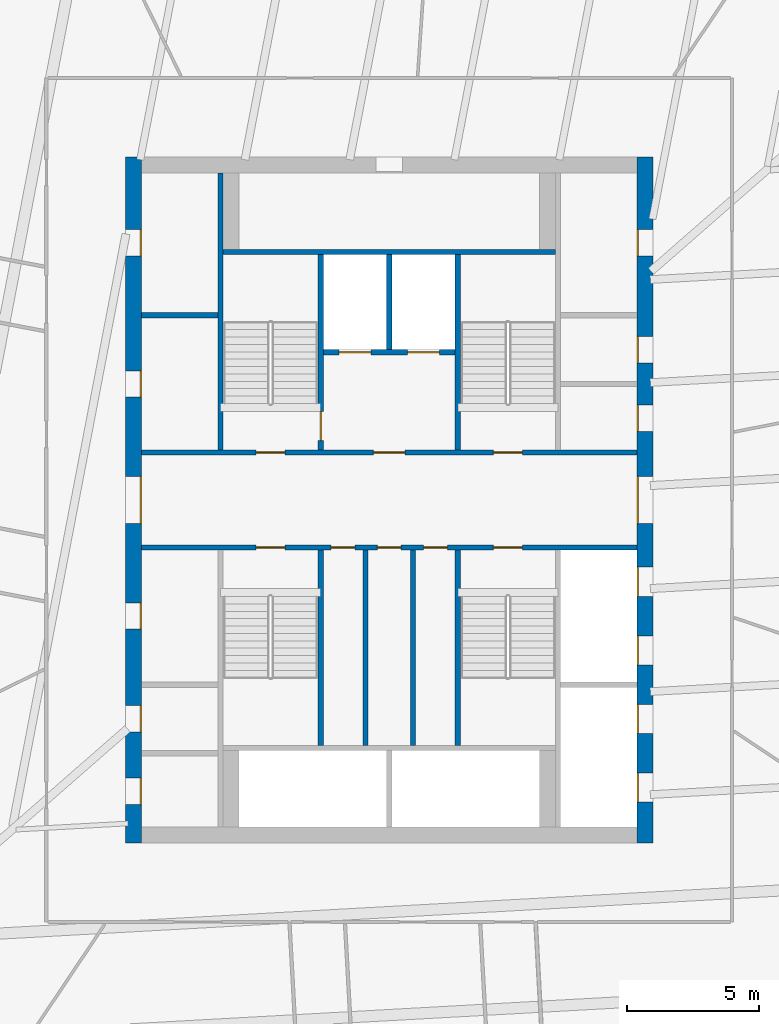
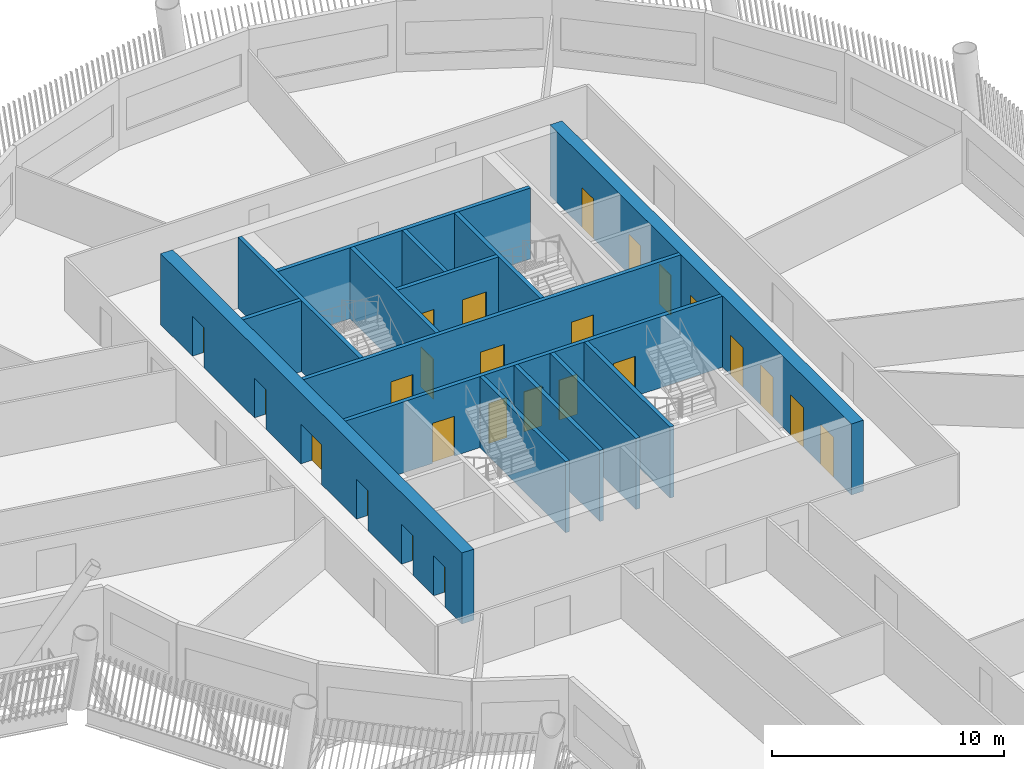
# One storey, part 5 of 23: 25 doors, 15 walls, 25 openings.
"""IFC4 building model written with IfcOpenShell, lengths in metres."""

from ifc_helpers import new_model, si_unit, direction, frame, frame_2d, origin, place, context, subcontext, project, spatial, rectangle, extrude, material, layer, layer_set, type_object, element, fill, save


model = new_model("IFC4")

# Units and contexts
model_context = context("Model", 3, precision=1e-05, world=origin(), true_north=direction((0.0, 1.0)))
body_context = subcontext(model_context, "Body", "Model", "MODEL_VIEW")
ifc_project = project(units=[si_unit("LENGTHUNIT", "METRE"), si_unit("AREAUNIT", "SQUARE_METRE"), si_unit("VOLUMEUNIT", "CUBIC_METRE"), si_unit("PLANEANGLEUNIT", "RADIAN"), si_unit("MASSUNIT", "GRAM", prefix="KILO")], contexts=[model_context])

# Site, building, storey
site_placement = place(None, origin())
site = spatial("IfcSite", under=ifc_project, at=site_placement, CompositionType="ELEMENT")
building_placement = place(site_placement, origin())
building = spatial("IfcBuilding", under=site, at=building_placement, Name="Tarsis Ring Headquarters", CompositionType="ELEMENT")
storey_placement = place(building_placement, frame((0.0, 0.0, 239.39990234375)))
storey = spatial("IfcBuildingStorey", under=building, at=storey_placement, Name="L56", CompositionType="ELEMENT", Elevation=239.39990234375)

# Walls
ifc_material_1 = material(Name="Blockwork", Category="masonry")
ifc_layer_1 = layer(ifc_material_1, 0.199951171875)
ifc_layer_set_1 = layer_set([ifc_layer_1], Name="Core blockwork wall 200")
wall_type_1 = type_object("IfcWallType", Name="Core blockwork wall 200", PredefinedType="PARTITIONING", material=ifc_layer_set_1)
wall_1_placement = place(storey_placement, frame((-9.39990234375, 7.0, 0.0), z_axis=(0.0, 0.0, 1.0), x_axis=(1.0, 0.0, 0.0)))
element("IfcWall", 1, at=wall_1_placement, inside=storey, type_object=wall_type_1, Name="Core partition WD6", PredefinedType="PARTITIONING", context=body_context, shape_type="SweptSolid", body=[
    extrude(rectangle(XDim=2.89990234375, YDim=0.199951171875, at=frame_2d((1.449951171875, 0.0))), origin(), (0.0, 0.0, 1.0), 3.739990234375),
])
for number, where, z_axis, x_axis, name in (
    (2, (-0.89990234375, -9.300048828125, 0.0), (0.0, 0.0, 1.0), (0.0, 1.0, 0.0), "Core partition SV1"),
    (3, (0.89990234375, -9.300048828125, 0.0), (0.0, 0.0, 1.0), (0.0, 1.0, 0.0), "Core partition SV2"),
):
    element("IfcWall", number, at=place(storey_placement, frame(where, z_axis=z_axis, x_axis=x_axis)), inside=storey, type_object=wall_type_1, Name=name, PredefinedType="PARTITIONING", context=body_context, shape_type="SweptSolid", body=[
        extrude(rectangle(XDim=7.400146484375, YDim=0.199951171875, at=frame_2d((3.7001953125, 0.0))), origin(), (0.0, 0.0, 1.0), 3.739990234375),
    ])

# Wall, openings, doors
ifc_material_2 = material(Name="Concrete C50/60", Category="concrete")
ifc_layer_2 = layer(ifc_material_2, 0.60009765625)
ifc_layer_set_2 = layer_set([ifc_layer_2], Name="Core wall 600 C50/60")
wall_type_2 = type_object("IfcWallType", Name="Core wall 600 C50/60", PredefinedType="SHEAR", material=ifc_layer_set_2)
wall_2_placement = place(storey_placement, frame((-9.699951171875, -13.0, 0.0), z_axis=(0.0, 0.0, 1.0), x_axis=(0.0, 1.0, 0.0)))
wall_2 = element("IfcWall", 4, at=wall_2_placement, inside=storey, type_object=wall_type_2, Name="Core wall OW", PredefinedType="SHEAR", context=body_context, shape_type="SweptSolid", body=[
    extrude(rectangle(XDim=26.0, YDim=0.60009765625, at=frame_2d((13.0, 0.0))), origin(), (0.0, 0.0, 1.0), 3.739990234375),
])
opening_1_placement = place(wall_2_placement, frame((1.449951171875, 0.0, 0.0)))
opening_1 = element("IfcOpeningElement", 5, at=opening_1_placement, cuts=wall_2, Name="Opening L56-C01", PredefinedType="OPENING", context=body_context, shape_type="SweptSolid", body=[
    extrude(rectangle(XDim=1.0, YDim=2.10009765625, at=frame_2d((0.5, 1.050048828125))), frame((0.0, 0.31005859375, 0.0), z_axis=(0.0, -1.0, 0.0), x_axis=(1.0, 0.0, 0.0)), (0.0, 0.0, 1.0), 0.6201171875),
])
opening_2_placement = place(wall_2_placement, frame((4.199951171875, 0.0, 0.0)))
opening_2 = element("IfcOpeningElement", 6, at=opening_2_placement, cuts=wall_2, Name="Opening L56-C02", PredefinedType="OPENING", context=body_context, shape_type="SweptSolid", body=[
    extrude(rectangle(XDim=1.0, YDim=2.10009765625, at=frame_2d((0.5, 1.050048828125))), frame((0.0, 0.31005859375, 0.0), z_axis=(0.0, -1.0, 0.0), x_axis=(1.0, 0.0, 0.0)), (0.0, 0.0, 1.0), 0.6201171875),
])
opening_3_placement = place(wall_2_placement, frame((8.10009765625, 0.0, 0.0)))
opening_3 = element("IfcOpeningElement", 7, at=opening_3_placement, cuts=wall_2, Name="Opening L56-C03", PredefinedType="OPENING", context=body_context, shape_type="SweptSolid", body=[
    extrude(rectangle(XDim=1.0, YDim=2.10009765625, at=frame_2d((0.5, 1.050048828125))), frame((0.0, 0.31005859375, 0.0), z_axis=(0.0, -1.0, 0.0), x_axis=(1.0, 0.0, 0.0)), (0.0, 0.0, 1.0), 0.6201171875),
])
opening_4_placement = place(wall_2_placement, frame((12.10009765625, 0.0, 0.0)))
opening_4 = element("IfcOpeningElement", 8, at=opening_4_placement, cuts=wall_2, Name="Opening L56-C04", PredefinedType="OPENING", context=body_context, shape_type="SweptSolid", body=[
    extrude(rectangle(XDim=1.800048828125, YDim=2.10009765625, at=frame_2d((0.89990234375, 1.050048828125))), frame((0.0, 0.31005859375, 0.0), z_axis=(0.0, -1.0, 0.0), x_axis=(1.0, 0.0, 0.0)), (0.0, 0.0, 1.0), 0.6201171875),
])
opening_5_placement = place(wall_2_placement, frame((16.89990234375, 0.0, 0.0)))
opening_5 = element("IfcOpeningElement", 9, at=opening_5_placement, cuts=wall_2, Name="Opening L56-C05", PredefinedType="OPENING", context=body_context, shape_type="SweptSolid", body=[
    extrude(rectangle(XDim=1.0, YDim=2.10009765625, at=frame_2d((0.5, 1.050048828125))), frame((0.0, 0.31005859375, 0.0), z_axis=(0.0, -1.0, 0.0), x_axis=(1.0, 0.0, 0.0)), (0.0, 0.0, 1.0), 0.6201171875),
])
opening_6_placement = place(wall_2_placement, frame((22.25, 0.0, 0.0)))
opening_6 = element("IfcOpeningElement", 10, at=opening_6_placement, cuts=wall_2, Name="Opening L56-C06", PredefinedType="OPENING", context=body_context, shape_type="SweptSolid", body=[
    extrude(rectangle(XDim=1.0, YDim=2.10009765625, at=frame_2d((0.5, 1.050048828125))), frame((0.0, 0.31005859375, 0.0), z_axis=(0.0, -1.0, 0.0), x_axis=(1.0, 0.0, 0.0)), (0.0, 0.0, 1.0), 0.6201171875),
])
ifc_material_3 = material(Name="Steel S355", Category="steel")
door_type_1 = type_object("IfcDoorType", Name="Core entry door 1800x2100", OperationType="DOUBLE_DOOR_SINGLE_SWING", PredefinedType="DOOR", material=ifc_material_3)
door_1_placement = place(opening_4_placement, origin())
door_1 = element("IfcDoor", 11, at=door_1_placement, inside=storey, type_object=door_type_1, Name="Core entry door L56", OperationType="DOUBLE_DOOR_SINGLE_SWING", OverallHeight=2.10009765625, OverallWidth=1.800048828125, PredefinedType="DOOR", context=body_context, shape_type="SweptSolid", body=[
    extrude(rectangle(XDim=1.800048828125, YDim=2.10009765625, at=frame_2d((0.89990234375, 1.050048828125))), frame((0.0, -0.25, 0.0), z_axis=(0.0, -1.0, 0.0), x_axis=(1.0, 0.0, 0.0)), (0.0, 0.0, 1.0), 0.050048828125),
])
fill(opening_4, door_1)
door_type_2 = type_object("IfcDoorType", Name="Core room door 1000x2100", OperationType="SINGLE_SWING_LEFT", PredefinedType="DOOR", material=ifc_material_3)
door_2_placement = place(opening_1_placement, origin())
door_2 = element("IfcDoor", 12, at=door_2_placement, inside=storey, type_object=door_type_2, Name="Core room door L56", OperationType="SINGLE_SWING_LEFT", OverallHeight=2.10009765625, OverallWidth=1.0, PredefinedType="DOOR", context=body_context, shape_type="SweptSolid", body=[
    extrude(rectangle(XDim=1.0, YDim=2.10009765625, at=frame_2d((0.5, 1.050048828125))), frame((0.0, -0.25, 0.0), z_axis=(0.0, -1.0, 0.0), x_axis=(1.0, 0.0, 0.0)), (0.0, 0.0, 1.0), 0.050048828125),
])
fill(opening_1, door_2)
door_3_placement = place(opening_2_placement, origin())
door_3 = element("IfcDoor", 13, at=door_3_placement, inside=storey, type_object=door_type_2, Name="Core room door L56", OperationType="SINGLE_SWING_LEFT", OverallHeight=2.10009765625, OverallWidth=1.0, PredefinedType="DOOR", context=body_context, shape_type="SweptSolid", body=[
    extrude(rectangle(XDim=1.0, YDim=2.10009765625, at=frame_2d((0.5, 1.050048828125))), frame((0.0, -0.25, 0.0), z_axis=(0.0, -1.0, 0.0), x_axis=(1.0, 0.0, 0.0)), (0.0, 0.0, 1.0), 0.050048828125),
])
fill(opening_2, door_3)
door_4_placement = place(opening_3_placement, origin())
door_4 = element("IfcDoor", 14, at=door_4_placement, inside=storey, type_object=door_type_2, Name="Core room door L56", OperationType="SINGLE_SWING_LEFT", OverallHeight=2.10009765625, OverallWidth=1.0, PredefinedType="DOOR", context=body_context, shape_type="SweptSolid", body=[
    extrude(rectangle(XDim=1.0, YDim=2.10009765625, at=frame_2d((0.5, 1.050048828125))), frame((0.0, -0.25, 0.0), z_axis=(0.0, -1.0, 0.0), x_axis=(1.0, 0.0, 0.0)), (0.0, 0.0, 1.0), 0.050048828125),
])
fill(opening_3, door_4)
door_5_placement = place(opening_5_placement, origin())
door_5 = element("IfcDoor", 15, at=door_5_placement, inside=storey, type_object=door_type_2, Name="Core room door L56", OperationType="SINGLE_SWING_LEFT", OverallHeight=2.10009765625, OverallWidth=1.0, PredefinedType="DOOR", context=body_context, shape_type="SweptSolid", body=[
    extrude(rectangle(XDim=1.0, YDim=2.10009765625, at=frame_2d((0.5, 1.050048828125))), frame((0.0, -0.25, 0.0), z_axis=(0.0, -1.0, 0.0), x_axis=(1.0, 0.0, 0.0)), (0.0, 0.0, 1.0), 0.050048828125),
])
fill(opening_5, door_5)
door_6_placement = place(opening_6_placement, origin())
door_6 = element("IfcDoor", 16, at=door_6_placement, inside=storey, type_object=door_type_2, Name="Core room door L56", OperationType="SINGLE_SWING_LEFT", OverallHeight=2.10009765625, OverallWidth=1.0, PredefinedType="DOOR", context=body_context, shape_type="SweptSolid", body=[
    extrude(rectangle(XDim=1.0, YDim=2.10009765625, at=frame_2d((0.5, 1.050048828125))), frame((0.0, -0.25, 0.0), z_axis=(0.0, -1.0, 0.0), x_axis=(1.0, 0.0, 0.0)), (0.0, 0.0, 1.0), 0.050048828125),
])
fill(opening_6, door_6)

wall_3_placement = place(storey_placement, frame((9.699951171875, -13.0, 0.0), z_axis=(0.0, 0.0, 1.0), x_axis=(0.0, 1.0, 0.0)))
wall_3 = element("IfcWall", 17, at=wall_3_placement, inside=storey, type_object=wall_type_2, Name="Core wall OE", PredefinedType="SHEAR", context=body_context, shape_type="SweptSolid", body=[
    extrude(rectangle(XDim=26.0, YDim=0.60009765625, at=frame_2d((13.0, 0.0))), origin(), (0.0, 0.0, 1.0), 3.739990234375),
])
opening_7_placement = place(wall_3_placement, frame((1.550048828125, 0.0, 0.0)))
opening_7 = element("IfcOpeningElement", 18, at=opening_7_placement, cuts=wall_3, Name="Opening LD-MR1", PredefinedType="OPENING", context=body_context, shape_type="SweptSolid", body=[
    extrude(rectangle(XDim=1.10009765625, YDim=2.10009765625, at=frame_2d((0.550048828125, 1.050048828125))), frame((0.0, 0.31005859375, 0.0), z_axis=(0.0, -1.0, 0.0), x_axis=(1.0, 0.0, 0.0)), (0.0, 0.0, 1.0), 0.6201171875),
])
opening_8_placement = place(wall_3_placement, frame((4.14990234375, 0.0, 0.0)))
opening_8 = element("IfcOpeningElement", 19, at=opening_8_placement, cuts=wall_3, Name="Opening LD-MR2", PredefinedType="OPENING", context=body_context, shape_type="SweptSolid", body=[
    extrude(rectangle(XDim=1.10009765625, YDim=2.10009765625, at=frame_2d((0.550048828125, 1.050048828125))), frame((0.0, 0.31005859375, 0.0), z_axis=(0.0, -1.0, 0.0), x_axis=(1.0, 0.0, 0.0)), (0.0, 0.0, 1.0), 0.6201171875),
])
opening_9_placement = place(wall_3_placement, frame((6.75, 0.0, 0.0)))
opening_9 = element("IfcOpeningElement", 20, at=opening_9_placement, cuts=wall_3, Name="Opening LD-MR3", PredefinedType="OPENING", context=body_context, shape_type="SweptSolid", body=[
    extrude(rectangle(XDim=1.10009765625, YDim=2.10009765625, at=frame_2d((0.550048828125, 1.050048828125))), frame((0.0, 0.31005859375, 0.0), z_axis=(0.0, -1.0, 0.0), x_axis=(1.0, 0.0, 0.0)), (0.0, 0.0, 1.0), 0.6201171875),
])
opening_10_placement = place(wall_3_placement, frame((9.35009765625, 0.0, 0.0)))
opening_10 = element("IfcOpeningElement", 21, at=opening_10_placement, cuts=wall_3, Name="Opening LD-MR4", PredefinedType="OPENING", context=body_context, shape_type="SweptSolid", body=[
    extrude(rectangle(XDim=1.10009765625, YDim=2.10009765625, at=frame_2d((0.550048828125, 1.050048828125))), frame((0.0, 0.31005859375, 0.0), z_axis=(0.0, -1.0, 0.0), x_axis=(1.0, 0.0, 0.0)), (0.0, 0.0, 1.0), 0.6201171875),
])
opening_11_placement = place(wall_3_placement, frame((12.10009765625, 0.0, 0.0)))
opening_11 = element("IfcOpeningElement", 22, at=opening_11_placement, cuts=wall_3, Name="Opening L56-C11", PredefinedType="OPENING", context=body_context, shape_type="SweptSolid", body=[
    extrude(rectangle(XDim=1.800048828125, YDim=2.10009765625, at=frame_2d((0.89990234375, 1.050048828125))), frame((0.0, 0.31005859375, 0.0), z_axis=(0.0, -1.0, 0.0), x_axis=(1.0, 0.0, 0.0)), (0.0, 0.0, 1.0), 0.6201171875),
])
opening_12_placement = place(wall_3_placement, frame((15.60009765625, 0.0, 0.0)))
opening_12 = element("IfcOpeningElement", 23, at=opening_12_placement, cuts=wall_3, Name="Opening L56-C12", PredefinedType="OPENING", context=body_context, shape_type="SweptSolid", body=[
    extrude(rectangle(XDim=1.0, YDim=2.10009765625, at=frame_2d((0.5, 1.050048828125))), frame((0.0, 0.31005859375, 0.0), z_axis=(0.0, -1.0, 0.0), x_axis=(1.0, 0.0, 0.0)), (0.0, 0.0, 1.0), 0.6201171875),
])
opening_13_placement = place(wall_3_placement, frame((18.199951171875, 0.0, 0.0)))
opening_13 = element("IfcOpeningElement", 24, at=opening_13_placement, cuts=wall_3, Name="Opening L56-C13", PredefinedType="OPENING", context=body_context, shape_type="SweptSolid", body=[
    extrude(rectangle(XDim=1.0, YDim=2.10009765625, at=frame_2d((0.5, 1.050048828125))), frame((0.0, 0.31005859375, 0.0), z_axis=(0.0, -1.0, 0.0), x_axis=(1.0, 0.0, 0.0)), (0.0, 0.0, 1.0), 0.6201171875),
])
opening_14_placement = place(wall_3_placement, frame((22.25, 0.0, 0.0)))
opening_14 = element("IfcOpeningElement", 25, at=opening_14_placement, cuts=wall_3, Name="Opening L56-C14", PredefinedType="OPENING", context=body_context, shape_type="SweptSolid", body=[
    extrude(rectangle(XDim=1.0, YDim=2.10009765625, at=frame_2d((0.5, 1.050048828125))), frame((0.0, 0.31005859375, 0.0), z_axis=(0.0, -1.0, 0.0), x_axis=(1.0, 0.0, 0.0)), (0.0, 0.0, 1.0), 0.6201171875),
])
door_7_placement = place(opening_11_placement, origin())
door_7 = element("IfcDoor", 26, at=door_7_placement, inside=storey, type_object=door_type_1, Name="Core entry door L56", OperationType="DOUBLE_DOOR_SINGLE_SWING", OverallHeight=2.10009765625, OverallWidth=1.800048828125, PredefinedType="DOOR", context=body_context, shape_type="SweptSolid", body=[
    extrude(rectangle(XDim=1.800048828125, YDim=2.10009765625, at=frame_2d((0.89990234375, 1.050048828125))), frame((0.0, 0.2998046875, 0.0), z_axis=(0.0, -1.0, 0.0), x_axis=(1.0, 0.0, 0.0)), (0.0, 0.0, 1.0), 0.050048828125),
])
fill(opening_11, door_7)
door_8_placement = place(opening_12_placement, origin())
door_8 = element("IfcDoor", 27, at=door_8_placement, inside=storey, type_object=door_type_2, Name="Core room door L56", OperationType="SINGLE_SWING_LEFT", OverallHeight=2.10009765625, OverallWidth=1.0, PredefinedType="DOOR", context=body_context, shape_type="SweptSolid", body=[
    extrude(rectangle(XDim=1.0, YDim=2.10009765625, at=frame_2d((0.5, 1.050048828125))), frame((0.0, 0.2998046875, 0.0), z_axis=(0.0, -1.0, 0.0), x_axis=(1.0, 0.0, 0.0)), (0.0, 0.0, 1.0), 0.050048828125),
])
fill(opening_12, door_8)
door_9_placement = place(opening_13_placement, origin())
door_9 = element("IfcDoor", 28, at=door_9_placement, inside=storey, type_object=door_type_2, Name="Core room door L56", OperationType="SINGLE_SWING_LEFT", OverallHeight=2.10009765625, OverallWidth=1.0, PredefinedType="DOOR", context=body_context, shape_type="SweptSolid", body=[
    extrude(rectangle(XDim=1.0, YDim=2.10009765625, at=frame_2d((0.5, 1.050048828125))), frame((0.0, 0.2998046875, 0.0), z_axis=(0.0, -1.0, 0.0), x_axis=(1.0, 0.0, 0.0)), (0.0, 0.0, 1.0), 0.050048828125),
])
fill(opening_13, door_9)
door_10_placement = place(opening_14_placement, origin())
door_10 = element("IfcDoor", 29, at=door_10_placement, inside=storey, type_object=door_type_2, Name="Core room door L56", OperationType="SINGLE_SWING_LEFT", OverallHeight=2.10009765625, OverallWidth=1.0, PredefinedType="DOOR", context=body_context, shape_type="SweptSolid", body=[
    extrude(rectangle(XDim=1.0, YDim=2.10009765625, at=frame_2d((0.5, 1.050048828125))), frame((0.0, 0.2998046875, 0.0), z_axis=(0.0, -1.0, 0.0), x_axis=(1.0, 0.0, 0.0)), (0.0, 0.0, 1.0), 0.050048828125),
])
fill(opening_14, door_10)
door_type_3 = type_object("IfcDoorType", Name="Landing door 1100x2100", OperationType="SLIDING_TO_LEFT", PredefinedType="DOOR", material=ifc_material_3)
door_11_placement = place(opening_7_placement, origin())
door_11 = element("IfcDoor", 30, at=door_11_placement, inside=storey, type_object=door_type_3, Name="Landing door MR1 L56", OperationType="SLIDING_TO_LEFT", OverallHeight=2.10009765625, OverallWidth=1.10009765625, PredefinedType="DOOR", context=body_context, shape_type="SweptSolid", body=[
    extrude(rectangle(XDim=1.10009765625, YDim=2.10009765625, at=frame_2d((0.550048828125, 1.050048828125))), frame((0.0, 0.2998046875, 0.0), z_axis=(0.0, -1.0, 0.0), x_axis=(1.0, 0.0, 0.0)), (0.0, 0.0, 1.0), 0.050048828125),
])
fill(opening_7, door_11)
door_12_placement = place(opening_8_placement, origin())
door_12 = element("IfcDoor", 31, at=door_12_placement, inside=storey, type_object=door_type_3, Name="Landing door MR2 L56", OperationType="SLIDING_TO_LEFT", OverallHeight=2.10009765625, OverallWidth=1.10009765625, PredefinedType="DOOR", context=body_context, shape_type="SweptSolid", body=[
    extrude(rectangle(XDim=1.10009765625, YDim=2.10009765625, at=frame_2d((0.550048828125, 1.050048828125))), frame((0.0, 0.2998046875, 0.0), z_axis=(0.0, -1.0, 0.0), x_axis=(1.0, 0.0, 0.0)), (0.0, 0.0, 1.0), 0.050048828125),
])
fill(opening_8, door_12)
door_13_placement = place(opening_9_placement, origin())
door_13 = element("IfcDoor", 32, at=door_13_placement, inside=storey, type_object=door_type_3, Name="Landing door MR3 L56", OperationType="SLIDING_TO_LEFT", OverallHeight=2.10009765625, OverallWidth=1.10009765625, PredefinedType="DOOR", context=body_context, shape_type="SweptSolid", body=[
    extrude(rectangle(XDim=1.10009765625, YDim=2.10009765625, at=frame_2d((0.550048828125, 1.050048828125))), frame((0.0, 0.2998046875, 0.0), z_axis=(0.0, -1.0, 0.0), x_axis=(1.0, 0.0, 0.0)), (0.0, 0.0, 1.0), 0.050048828125),
])
fill(opening_9, door_13)
door_14_placement = place(opening_10_placement, origin())
door_14 = element("IfcDoor", 33, at=door_14_placement, inside=storey, type_object=door_type_3, Name="Landing door MR4 L56", OperationType="SLIDING_TO_LEFT", OverallHeight=2.10009765625, OverallWidth=1.10009765625, PredefinedType="DOOR", context=body_context, shape_type="SweptSolid", body=[
    extrude(rectangle(XDim=1.10009765625, YDim=2.10009765625, at=frame_2d((0.550048828125, 1.050048828125))), frame((0.0, 0.2998046875, 0.0), z_axis=(0.0, -1.0, 0.0), x_axis=(1.0, 0.0, 0.0)), (0.0, 0.0, 1.0), 0.050048828125),
])
fill(opening_10, door_14)

ifc_material_4 = material(Name="Concrete C32/40", Category="concrete")
ifc_layer_3 = layer(ifc_material_4, 0.199951171875)
ifc_layer_set_3 = layer_set([ifc_layer_3], Name="Shaft wall 200 C32/40")
wall_type_3 = type_object("IfcWallType", Name="Shaft wall 200 C32/40", PredefinedType="SOLIDWALL", material=ifc_layer_set_3)
wall_4_placement = place(storey_placement, frame((-9.39990234375, 1.800048828125, 0.0), z_axis=(0.0, 0.0, 1.0), x_axis=(1.0, 0.0, 0.0)))
wall_4 = element("IfcWall", 34, at=wall_4_placement, inside=storey, type_object=wall_type_3, Name="Core shaft wall CN", PredefinedType="SOLIDWALL", context=body_context, shape_type="SweptSolid", body=[
    extrude(rectangle(XDim=18.7998046875, YDim=0.199951171875, at=frame_2d((9.39990234375, 0.0))), origin(), (0.0, 0.0, 1.0), 3.739990234375),
])
opening_15_placement = place(wall_4_placement, frame((4.35009765625, 0.0, 0.0)))
opening_15 = element("IfcOpeningElement", 35, at=opening_15_placement, cuts=wall_4, Name="Opening L56-C16", PredefinedType="OPENING", context=body_context, shape_type="SweptSolid", body=[
    extrude(rectangle(XDim=1.10009765625, YDim=2.10009765625, at=frame_2d((0.550048828125, 1.050048828125))), frame((0.0, 0.10986328125, 0.0), z_axis=(0.0, -1.0, 0.0), x_axis=(1.0, 0.0, 0.0)), (0.0, 0.0, 1.0), 0.219970703125),
])
opening_16_placement = place(wall_4_placement, frame((8.800048828125, 0.0, 0.0)))
opening_16 = element("IfcOpeningElement", 36, at=opening_16_placement, cuts=wall_4, Name="Opening L56-C17", PredefinedType="OPENING", context=body_context, shape_type="SweptSolid", body=[
    extrude(rectangle(XDim=1.199951171875, YDim=2.10009765625, at=frame_2d((0.60009765625, 1.050048828125))), frame((0.0, 0.10986328125, 0.0), z_axis=(0.0, -1.0, 0.0), x_axis=(1.0, 0.0, 0.0)), (0.0, 0.0, 1.0), 0.219970703125),
])
opening_17_placement = place(wall_4_placement, frame((13.35009765625, 0.0, 0.0)))
opening_17 = element("IfcOpeningElement", 37, at=opening_17_placement, cuts=wall_4, Name="Opening L56-C18", PredefinedType="OPENING", context=body_context, shape_type="SweptSolid", body=[
    extrude(rectangle(XDim=1.10009765625, YDim=2.10009765625, at=frame_2d((0.550048828125, 1.050048828125))), frame((0.0, 0.10986328125, 0.0), z_axis=(0.0, -1.0, 0.0), x_axis=(1.0, 0.0, 0.0)), (0.0, 0.0, 1.0), 0.219970703125),
])
door_type_4 = type_object("IfcDoorType", Name="Firefighting lobby door 1200x2100", OperationType="DOUBLE_DOOR_SINGLE_SWING", PredefinedType="DOOR", material=ifc_material_3)
door_15_placement = place(opening_16_placement, origin())
door_15 = element("IfcDoor", 38, at=door_15_placement, inside=storey, type_object=door_type_4, Name="Firefighting lobby door L56", OperationType="DOUBLE_DOOR_SINGLE_SWING", OverallHeight=2.10009765625, OverallWidth=1.199951171875, PredefinedType="DOOR", context=body_context, shape_type="SweptSolid", body=[
    extrude(rectangle(XDim=1.199951171875, YDim=2.10009765625, at=frame_2d((0.60009765625, 1.050048828125))), frame((0.0, 0.02490234375, 0.0), z_axis=(0.0, -1.0, 0.0), x_axis=(1.0, 0.0, 0.0)), (0.0, 0.0, 1.0), 0.050048828125),
])
fill(opening_16, door_15)
door_type_5 = type_object("IfcDoorType", Name="Stair door 1100x2100", OperationType="SINGLE_SWING_LEFT", PredefinedType="DOOR", material=ifc_material_3)
door_16_placement = place(opening_15_placement, origin())
door_16 = element("IfcDoor", 39, at=door_16_placement, inside=storey, type_object=door_type_5, Name="Stair door L56", OperationType="SINGLE_SWING_LEFT", OverallHeight=2.10009765625, OverallWidth=1.10009765625, PredefinedType="DOOR", context=body_context, shape_type="SweptSolid", body=[
    extrude(rectangle(XDim=1.10009765625, YDim=2.10009765625, at=frame_2d((0.550048828125, 1.050048828125))), frame((0.0, 0.02490234375, 0.0), z_axis=(0.0, -1.0, 0.0), x_axis=(1.0, 0.0, 0.0)), (0.0, 0.0, 1.0), 0.050048828125),
])
fill(opening_15, door_16)
door_17_placement = place(opening_17_placement, origin())
door_17 = element("IfcDoor", 40, at=door_17_placement, inside=storey, type_object=door_type_5, Name="Stair door L56", OperationType="SINGLE_SWING_LEFT", OverallHeight=2.10009765625, OverallWidth=1.10009765625, PredefinedType="DOOR", context=body_context, shape_type="SweptSolid", body=[
    extrude(rectangle(XDim=1.10009765625, YDim=2.10009765625, at=frame_2d((0.550048828125, 1.050048828125))), frame((0.0, 0.02490234375, 0.0), z_axis=(0.0, -1.0, 0.0), x_axis=(1.0, 0.0, 0.0)), (0.0, 0.0, 1.0), 0.050048828125),
])
fill(opening_17, door_17)

wall_5_placement = place(storey_placement, frame((-9.39990234375, -1.800048828125, 0.0), z_axis=(0.0, 0.0, 1.0), x_axis=(1.0, 0.0, 0.0)))
wall_5 = element("IfcWall", 41, at=wall_5_placement, inside=storey, type_object=wall_type_3, Name="Core shaft wall CS", PredefinedType="SOLIDWALL", context=body_context, shape_type="SweptSolid", body=[
    extrude(rectangle(XDim=18.7998046875, YDim=0.199951171875, at=frame_2d((9.39990234375, 0.0))), origin(), (0.0, 0.0, 1.0), 3.739990234375),
])
opening_18_placement = place(wall_5_placement, frame((4.35009765625, 0.0, 0.0)))
opening_18 = element("IfcOpeningElement", 42, at=opening_18_placement, cuts=wall_5, Name="Opening L56-C19", PredefinedType="OPENING", context=body_context, shape_type="SweptSolid", body=[
    extrude(rectangle(XDim=1.10009765625, YDim=2.10009765625, at=frame_2d((0.550048828125, 1.050048828125))), frame((0.0, 0.10986328125, 0.0), z_axis=(0.0, -1.0, 0.0), x_axis=(1.0, 0.0, 0.0)), (0.0, 0.0, 1.0), 0.219970703125),
])
opening_19_placement = place(wall_5_placement, frame((7.199951171875, 0.0, 0.0)))
opening_19 = element("IfcOpeningElement", 43, at=opening_19_placement, cuts=wall_5, Name="Opening L56-C20", PredefinedType="OPENING", context=body_context, shape_type="SweptSolid", body=[
    extrude(rectangle(XDim=0.89990234375, YDim=2.10009765625, at=frame_2d((0.449951171875, 1.050048828125))), frame((0.0, 0.10986328125, 0.0), z_axis=(0.0, -1.0, 0.0), x_axis=(1.0, 0.0, 0.0)), (0.0, 0.0, 1.0), 0.219970703125),
])
opening_20_placement = place(wall_5_placement, frame((8.949951171875, 0.0, 0.0)))
opening_20 = element("IfcOpeningElement", 44, at=opening_20_placement, cuts=wall_5, Name="Opening L56-C21", PredefinedType="OPENING", context=body_context, shape_type="SweptSolid", body=[
    extrude(rectangle(XDim=0.89990234375, YDim=2.10009765625, at=frame_2d((0.449951171875, 1.050048828125))), frame((0.0, 0.10986328125, 0.0), z_axis=(0.0, -1.0, 0.0), x_axis=(1.0, 0.0, 0.0)), (0.0, 0.0, 1.0), 0.219970703125),
])
opening_21_placement = place(wall_5_placement, frame((10.699951171875, 0.0, 0.0)))
opening_21 = element("IfcOpeningElement", 45, at=opening_21_placement, cuts=wall_5, Name="Opening L56-C22", PredefinedType="OPENING", context=body_context, shape_type="SweptSolid", body=[
    extrude(rectangle(XDim=0.89990234375, YDim=2.10009765625, at=frame_2d((0.449951171875, 1.050048828125))), frame((0.0, 0.10986328125, 0.0), z_axis=(0.0, -1.0, 0.0), x_axis=(1.0, 0.0, 0.0)), (0.0, 0.0, 1.0), 0.219970703125),
])
opening_22_placement = place(wall_5_placement, frame((13.35009765625, 0.0, 0.0)))
opening_22 = element("IfcOpeningElement", 46, at=opening_22_placement, cuts=wall_5, Name="Opening L56-C23", PredefinedType="OPENING", context=body_context, shape_type="SweptSolid", body=[
    extrude(rectangle(XDim=1.10009765625, YDim=2.10009765625, at=frame_2d((0.550048828125, 1.050048828125))), frame((0.0, 0.10986328125, 0.0), z_axis=(0.0, -1.0, 0.0), x_axis=(1.0, 0.0, 0.0)), (0.0, 0.0, 1.0), 0.219970703125),
])
door_18_placement = place(opening_18_placement, origin())
door_18 = element("IfcDoor", 47, at=door_18_placement, inside=storey, type_object=door_type_5, Name="Stair door L56", OperationType="SINGLE_SWING_LEFT", OverallHeight=2.10009765625, OverallWidth=1.10009765625, PredefinedType="DOOR", context=body_context, shape_type="SweptSolid", body=[
    extrude(rectangle(XDim=1.10009765625, YDim=2.10009765625, at=frame_2d((0.550048828125, 1.050048828125))), frame((0.0, 0.02490234375, 0.0), z_axis=(0.0, -1.0, 0.0), x_axis=(1.0, 0.0, 0.0)), (0.0, 0.0, 1.0), 0.050048828125),
])
fill(opening_18, door_18)
door_19_placement = place(opening_22_placement, origin())
door_19 = element("IfcDoor", 48, at=door_19_placement, inside=storey, type_object=door_type_5, Name="Stair door L56", OperationType="SINGLE_SWING_LEFT", OverallHeight=2.10009765625, OverallWidth=1.10009765625, PredefinedType="DOOR", context=body_context, shape_type="SweptSolid", body=[
    extrude(rectangle(XDim=1.10009765625, YDim=2.10009765625, at=frame_2d((0.550048828125, 1.050048828125))), frame((0.0, 0.02490234375, 0.0), z_axis=(0.0, -1.0, 0.0), x_axis=(1.0, 0.0, 0.0)), (0.0, 0.0, 1.0), 0.050048828125),
])
fill(opening_22, door_19)
door_type_6 = type_object("IfcDoorType", Name="WC door 900x2100", OperationType="SINGLE_SWING_LEFT", PredefinedType="DOOR", material=ifc_material_3)
door_20_placement = place(opening_19_placement, origin())
door_20 = element("IfcDoor", 49, at=door_20_placement, inside=storey, type_object=door_type_6, Name="WC door L56", OperationType="SINGLE_SWING_LEFT", OverallHeight=2.10009765625, OverallWidth=0.89990234375, PredefinedType="DOOR", context=body_context, shape_type="SweptSolid", body=[
    extrude(rectangle(XDim=0.89990234375, YDim=2.10009765625, at=frame_2d((0.449951171875, 1.050048828125))), frame((0.0, 0.02490234375, 0.0), z_axis=(0.0, -1.0, 0.0), x_axis=(1.0, 0.0, 0.0)), (0.0, 0.0, 1.0), 0.050048828125),
])
fill(opening_19, door_20)
door_21_placement = place(opening_20_placement, origin())
door_21 = element("IfcDoor", 50, at=door_21_placement, inside=storey, type_object=door_type_6, Name="WC door L56", OperationType="SINGLE_SWING_LEFT", OverallHeight=2.10009765625, OverallWidth=0.89990234375, PredefinedType="DOOR", context=body_context, shape_type="SweptSolid", body=[
    extrude(rectangle(XDim=0.89990234375, YDim=2.10009765625, at=frame_2d((0.449951171875, 1.050048828125))), frame((0.0, 0.02490234375, 0.0), z_axis=(0.0, -1.0, 0.0), x_axis=(1.0, 0.0, 0.0)), (0.0, 0.0, 1.0), 0.050048828125),
])
fill(opening_20, door_21)
door_22_placement = place(opening_21_placement, origin())
door_22 = element("IfcDoor", 51, at=door_22_placement, inside=storey, type_object=door_type_6, Name="WC door L56", OperationType="SINGLE_SWING_LEFT", OverallHeight=2.10009765625, OverallWidth=0.89990234375, PredefinedType="DOOR", context=body_context, shape_type="SweptSolid", body=[
    extrude(rectangle(XDim=0.89990234375, YDim=2.10009765625, at=frame_2d((0.449951171875, 1.050048828125))), frame((0.0, 0.02490234375, 0.0), z_axis=(0.0, -1.0, 0.0), x_axis=(1.0, 0.0, 0.0)), (0.0, 0.0, 1.0), 0.050048828125),
])
fill(opening_21, door_22)

# Walls
wall_6_placement = place(storey_placement, frame((-6.39990234375, 1.89990234375, 0.0), z_axis=(0.0, 0.0, 1.0), x_axis=(0.0, 1.0, 0.0)))
element("IfcWall", 52, at=wall_6_placement, inside=storey, type_object=wall_type_3, Name="Core shaft wall WB2", PredefinedType="SOLIDWALL", context=body_context, shape_type="SweptSolid", body=[
    extrude(rectangle(XDim=10.5, YDim=0.199951171875, at=frame_2d((5.25, 0.0))), origin(), (0.0, 0.0, 1.0), 3.739990234375),
])
wall_7_placement = place(storey_placement, frame((-6.300048828125, 9.39990234375, 0.0), z_axis=(0.0, 0.0, 1.0), x_axis=(1.0, 0.0, 0.0)))
element("IfcWall", 53, at=wall_7_placement, inside=storey, type_object=wall_type_3, Name="Core shaft wall NB", PredefinedType="SOLIDWALL", context=body_context, shape_type="SweptSolid", body=[
    extrude(rectangle(XDim=12.60009765625, YDim=0.199951171875, at=frame_2d((6.300048828125, 0.0))), origin(), (0.0, 0.0, 1.0), 3.739990234375),
])

# Wall, opening, door
wall_8_placement = place(storey_placement, frame((-2.60009765625, 1.89990234375, 0.0), z_axis=(0.0, 0.0, 1.0), x_axis=(0.0, 1.0, 0.0)))
wall_8 = element("IfcWall", 54, at=wall_8_placement, inside=storey, type_object=wall_type_3, Name="Core shaft wall SW1", PredefinedType="SOLIDWALL", context=body_context, shape_type="SweptSolid", body=[
    extrude(rectangle(XDim=7.400146484375, YDim=0.199951171875, at=frame_2d((3.7001953125, 0.0))), origin(), (0.0, 0.0, 1.0), 3.739990234375),
])
opening_23_placement = place(wall_8_placement, frame((0.35009765625, 0.0, 0.0)))
opening_23 = element("IfcOpeningElement", 55, at=opening_23_placement, cuts=wall_8, Name="Opening L56-C24", PredefinedType="OPENING", context=body_context, shape_type="SweptSolid", body=[
    extrude(rectangle(XDim=1.10009765625, YDim=2.10009765625, at=frame_2d((0.550048828125, 1.050048828125))), frame((0.0, 0.10986328125, 0.0), z_axis=(0.0, -1.0, 0.0), x_axis=(1.0, 0.0, 0.0)), (0.0, 0.0, 1.0), 0.219970703125),
])
door_23_placement = place(opening_23_placement, origin())
door_23 = element("IfcDoor", 56, at=door_23_placement, inside=storey, type_object=door_type_5, Name="Stair door L56", OperationType="SINGLE_SWING_LEFT", OverallHeight=2.10009765625, OverallWidth=1.10009765625, PredefinedType="DOOR", context=body_context, shape_type="SweptSolid", body=[
    extrude(rectangle(XDim=1.10009765625, YDim=2.10009765625, at=frame_2d((0.550048828125, 1.050048828125))), frame((0.0, 0.02490234375, 0.0), z_axis=(0.0, -1.0, 0.0), x_axis=(1.0, 0.0, 0.0)), (0.0, 0.0, 1.0), 0.050048828125),
])
fill(opening_23, door_23)

# Walls
for number, where, z_axis, x_axis, name in (
    (57, (2.60009765625, 1.89990234375, 0.0), (0.0, 0.0, 1.0), (0.0, 1.0, 0.0), "Core shaft wall SW2"),
    (58, (-2.60009765625, -9.300048828125, 0.0), (0.0, 0.0, 1.0), (0.0, 1.0, 0.0), "Core shaft wall SW3"),
    (59, (2.60009765625, -9.300048828125, 0.0), (0.0, 0.0, 1.0), (0.0, 1.0, 0.0), "Core shaft wall SW4"),
):
    element("IfcWall", number, at=place(storey_placement, frame(where, z_axis=z_axis, x_axis=x_axis)), inside=storey, type_object=wall_type_3, Name=name, PredefinedType="SOLIDWALL", context=body_context, shape_type="SweptSolid", body=[
        extrude(rectangle(XDim=7.400146484375, YDim=0.199951171875, at=frame_2d((3.7001953125, 0.0))), origin(), (0.0, 0.0, 1.0), 3.739990234375),
    ])

# Wall, openings, doors
wall_9_placement = place(storey_placement, frame((-2.5, 5.60009765625, 0.0), z_axis=(0.0, 0.0, 1.0), x_axis=(1.0, 0.0, 0.0)))
wall_9 = element("IfcWall", 60, at=wall_9_placement, inside=storey, type_object=wall_type_3, Name="Core shaft wall FFN", PredefinedType="SOLIDWALL", context=body_context, shape_type="SweptSolid", body=[
    extrude(rectangle(XDim=5.0, YDim=0.199951171875, at=frame_2d((2.5, 0.0))), origin(), (0.0, 0.0, 1.0), 3.739990234375),
])
opening_24_placement = place(wall_9_placement, frame((0.60009765625, 0.0, 0.0)))
opening_24 = element("IfcOpeningElement", 61, at=opening_24_placement, cuts=wall_9, Name="Opening LDF-1", PredefinedType="OPENING", context=body_context, shape_type="SweptSolid", body=[
    extrude(rectangle(XDim=1.199951171875, YDim=2.10009765625, at=frame_2d((0.60009765625, 1.050048828125))), frame((0.0, 0.10986328125, 0.0), z_axis=(0.0, -1.0, 0.0), x_axis=(1.0, 0.0, 0.0)), (0.0, 0.0, 1.0), 0.219970703125),
])
opening_25_placement = place(wall_9_placement, frame((3.199951171875, 0.0, 0.0)))
opening_25 = element("IfcOpeningElement", 62, at=opening_25_placement, cuts=wall_9, Name="Opening LDF-2", PredefinedType="OPENING", context=body_context, shape_type="SweptSolid", body=[
    extrude(rectangle(XDim=1.199951171875, YDim=2.10009765625, at=frame_2d((0.60009765625, 1.050048828125))), frame((0.0, 0.10986328125, 0.0), z_axis=(0.0, -1.0, 0.0), x_axis=(1.0, 0.0, 0.0)), (0.0, 0.0, 1.0), 0.219970703125),
])
door_type_7 = type_object("IfcDoorType", Name="Firefighting landing door 1200x2100", OperationType="SLIDING_TO_LEFT", PredefinedType="DOOR", material=ifc_material_3)
door_24_placement = place(opening_24_placement, origin())
door_24 = element("IfcDoor", 63, at=door_24_placement, inside=storey, type_object=door_type_7, Name="Landing door FF1 L56", OperationType="SLIDING_TO_LEFT", OverallHeight=2.10009765625, OverallWidth=1.199951171875, PredefinedType="DOOR", context=body_context, shape_type="SweptSolid", body=[
    extrude(rectangle(XDim=1.199951171875, YDim=2.10009765625, at=frame_2d((0.60009765625, 1.050048828125))), frame((0.0, 0.02490234375, 0.0), z_axis=(0.0, -1.0, 0.0), x_axis=(1.0, 0.0, 0.0)), (0.0, 0.0, 1.0), 0.050048828125),
])
fill(opening_24, door_24)
door_25_placement = place(opening_25_placement, origin())
door_25 = element("IfcDoor", 64, at=door_25_placement, inside=storey, type_object=door_type_7, Name="Landing door FF2 L56", OperationType="SLIDING_TO_LEFT", OverallHeight=2.10009765625, OverallWidth=1.199951171875, PredefinedType="DOOR", context=body_context, shape_type="SweptSolid", body=[
    extrude(rectangle(XDim=1.199951171875, YDim=2.10009765625, at=frame_2d((0.60009765625, 1.050048828125))), frame((0.0, 0.02490234375, 0.0), z_axis=(0.0, -1.0, 0.0), x_axis=(1.0, 0.0, 0.0)), (0.0, 0.0, 1.0), 0.050048828125),
])
fill(opening_25, door_25)

# Wall
wall_10_placement = place(storey_placement, frame((0.0, 5.699951171875, 0.0), z_axis=(0.0, 0.0, 1.0), x_axis=(0.0, 1.0, 0.0)))
element("IfcWall", 65, at=wall_10_placement, inside=storey, type_object=wall_type_3, Name="Core shaft wall FFD", PredefinedType="SOLIDWALL", context=body_context, shape_type="SweptSolid", body=[
    extrude(rectangle(XDim=3.60009765625, YDim=0.199951171875, at=frame_2d((1.800048828125, 0.0))), origin(), (0.0, 0.0, 1.0), 3.739990234375),
])

save(model, "model.ifc")
